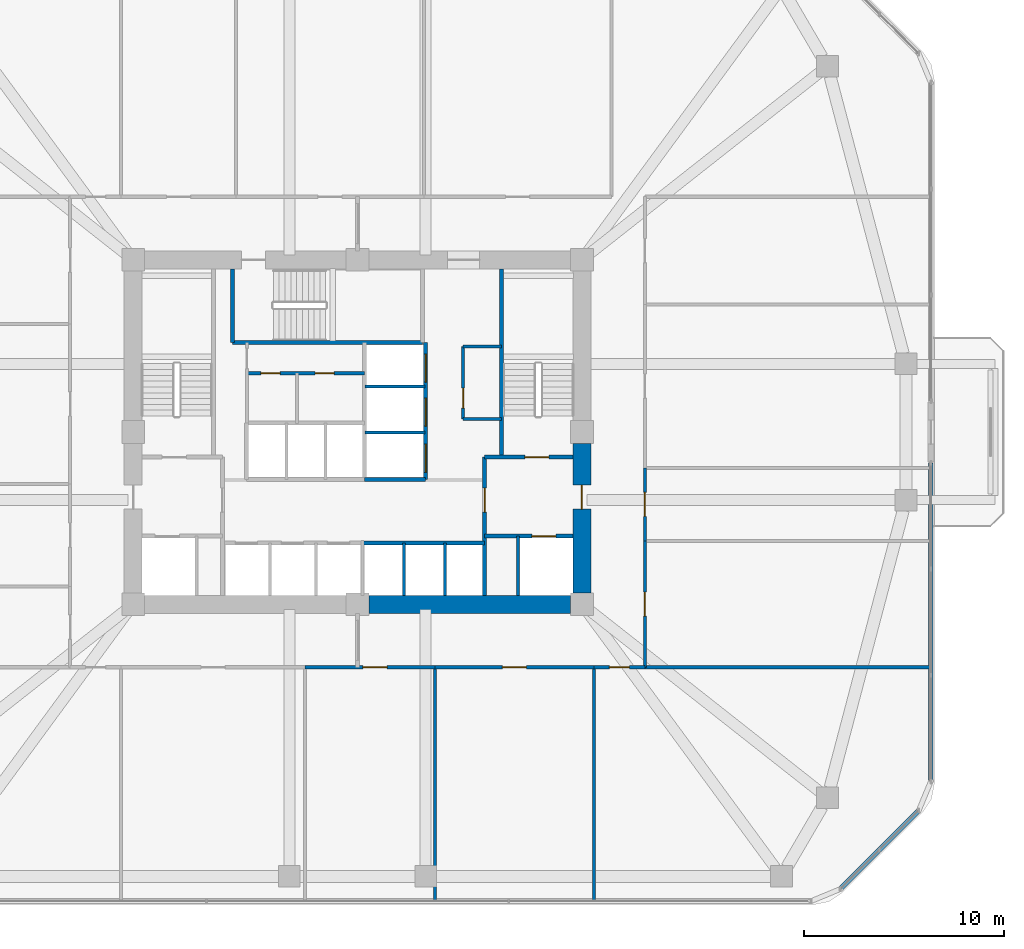
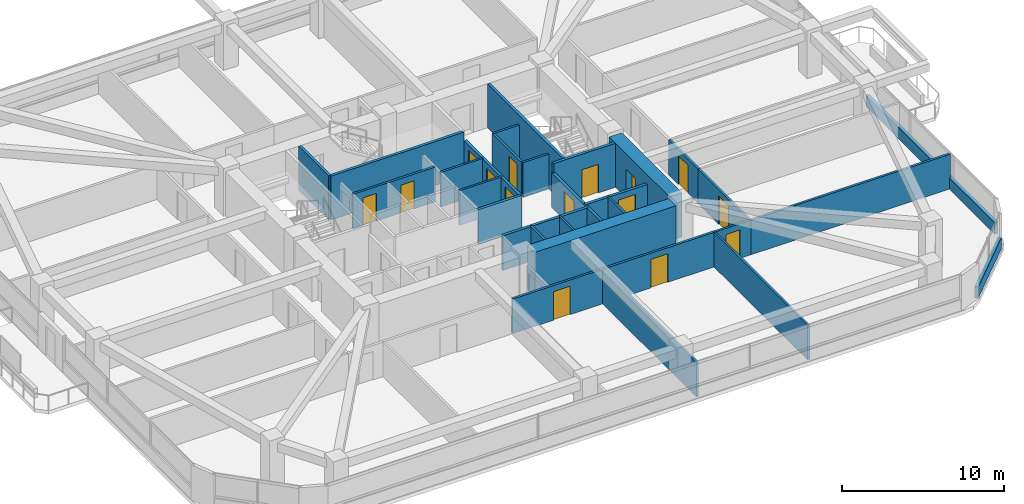
# One storey, part 11 of 15: 30 walls, 15 doors, 15 openings.
"""IFC4 building model written with IfcOpenShell, lengths in metres."""

from ifc_helpers import new_model, si_unit, derived_unit, direction, frame, frame_2d, origin, place, context, subcontext, project, spatial, rectangle, extrude, material, layer, layer_set, type_object, element, fill, save


model = new_model("IFC4")

# Units and contexts
model_context = context("Model", 3, precision=1e-05, world=origin(), true_north=direction((0.0, 1.0)))
body_context = subcontext(model_context, "Body", "Model", "MODEL_VIEW")
ifc_project = project(units=[si_unit("LENGTHUNIT", "METRE"), si_unit("AREAUNIT", "SQUARE_METRE"), si_unit("VOLUMEUNIT", "CUBIC_METRE"), si_unit("PLANEANGLEUNIT", "RADIAN"), si_unit("MASSUNIT", "GRAM", prefix="KILO"), derived_unit("THERMALTRANSMITTANCEUNIT", [(si_unit("POWERUNIT", "WATT"), 1), (si_unit("LENGTHUNIT", "METRE"), -2), (si_unit("THERMODYNAMICTEMPERATUREUNIT", "KELVIN"), -1)])], contexts=[model_context])

# Site, building, storey
site_placement = place(None, origin())
site = spatial("IfcSite", under=ifc_project, at=site_placement, CompositionType="ELEMENT")
building_placement = place(site_placement, origin())
building = spatial("IfcBuilding", under=site, at=building_placement, Name="Koralith Skygarden Medical Center", CompositionType="ELEMENT")
storey_placement = place(building_placement, frame((0.0, 0.0, 56.340087890625)))
storey = spatial("IfcBuildingStorey", under=building, at=storey_placement, Name="L14", CompositionType="ELEMENT", Elevation=56.340087890625)

# Wall, opening, door
ifc_material_1 = material(Name="Gypsum Board Partition")
ifc_layer_1 = layer(ifc_material_1, 0.14990234375)
ifc_layer_set_1 = layer_set([ifc_layer_1], Name="Gypsum Board Partition")
wall_type_1 = type_object("IfcWallType", Name="Clinical Acoustic Partition 150", PredefinedType="PARTITIONING", material=ifc_layer_set_1)
wall_1_placement = place(storey_placement, frame((42.27001953125, 26.5400390625, 0.0), z_axis=(0.0, 0.0, 1.0), x_axis=(0.0, 1.0, 0.0)))
wall_1 = element("IfcWall", 1, at=wall_1_placement, inside=storey, type_object=wall_type_1, Name="L14 Clinical Acoustic Partition 150 W-CORE-L14-ESUB-W", PredefinedType="PARTITIONING", context=body_context, shape_type="SweptSolid", body=[
    extrude(rectangle(XDim=3.619873046875, YDim=0.14990234375, at=frame_2d((1.81005859375, 0.0))), origin(), (0.0, 0.0, 1.0), 2.60986328125),
])
opening_1_placement = place(wall_1_placement, frame((0.550048828125, 0.0, 0.0)))
opening_1 = element("IfcOpeningElement", 2, at=opening_1_placement, cuts=wall_1, Name="Opening D-SUP", PredefinedType="OPENING", context=body_context, shape_type="SweptSolid", body=[
    extrude(rectangle(XDim=1.0, YDim=2.14990234375, at=frame_2d((0.5, 1.074951171875))), frame((0.0, 0.0849609375, 0.0), z_axis=(0.0, -1.0, 0.0), x_axis=(1.0, 0.0, 0.0)), (0.0, 0.0, 1.0), 0.169921875),
])
ifc_material_2 = material(Name="Aluminium 6063-T6", Category="aluminium")
door_type_1 = type_object("IfcDoorType", Name="Clinical Support Door D-SUP 1000", OperationType="NOTDEFINED", PredefinedType="DOOR", material=ifc_material_2)
door_1_placement = place(opening_1_placement, origin())
door_1 = element("IfcDoor", 3, at=door_1_placement, inside=storey, type_object=door_type_1, Name="L14 Core Equipment Store Door", OperationType="SINGLE_SWING_LEFT", OverallHeight=2.14990234375, OverallWidth=1.0, PredefinedType="DOOR", context=body_context, shape_type="SweptSolid", body=[
    extrude(rectangle(XDim=1.0, YDim=2.14990234375, at=frame_2d((0.5, 1.074951171875))), frame((0.0, 0.02490234375, 0.0), z_axis=(0.0, -1.0, 0.0), x_axis=(1.0, 0.0, 0.0)), (0.0, 0.0, 1.0), 0.050048828125),
])
fill(opening_1, door_1)

# Walls
for number, where, z_axis, x_axis, name in (
    (4, (42.27001953125, 26.5400390625, 0.0), (0.0, 0.0, 1.0), (1.0, 0.0, 0.0), "L14 Clinical Acoustic Partition 150 W-CORE-L14-ESUB-S"),
    (5, (42.27001953125, 30.159912109375, 0.0), (0.0, 0.0, 1.0), (1.0, 0.0, 0.0), "L14 Clinical Acoustic Partition 150 W-CORE-L14-ESUB-N"),
):
    element("IfcWall", number, at=place(storey_placement, frame(where, z_axis=z_axis, x_axis=x_axis)), inside=storey, type_object=wall_type_1, Name=name, PredefinedType="PARTITIONING", context=body_context, shape_type="SweptSolid", body=[
        extrude(rectangle(XDim=1.929931640625, YDim=0.14990234375, at=frame_2d((0.96484375, 0.0))), origin(), (0.0, 0.0, 1.0), 2.60986328125),
    ])
for number, where, z_axis, x_axis, name in (
    (6, (40.861083984375, 14.14990234375, 0.0), (0.0, 0.0, 1.0), (0.0, -1.0, 0.0), "L14 Clinical Acoustic Partition 150 W-PART-L14-S-03"),
    (7, (48.800048828125, 14.14990234375, 0.0), (0.0, 0.0, 1.0), (0.0, -1.0, 0.0), "L14 Clinical Acoustic Partition 150 W-PART-L14-S-04"),
):
    element("IfcWall", number, at=place(storey_placement, frame(where, z_axis=z_axis, x_axis=x_axis)), inside=storey, type_object=wall_type_1, Name=name, PredefinedType="PARTITIONING", context=body_context, shape_type="SweptSolid", body=[
        extrude(rectangle(XDim=11.64990234375, YDim=0.14990234375, at=frame_2d((5.824951171875, 0.0))), origin(), (0.0, 0.0, 1.0), 2.60986328125),
    ])
ifc_layer_2 = layer(ifc_material_1, 0.1650390625)
ifc_layer_set_2 = layer_set([ifc_layer_2], Name="Gypsum Board Partition")
wall_type_2 = type_object("IfcWallType", Name="Clinical Corridor Partition 165", PredefinedType="PARTITIONING", material=ifc_layer_set_2)
wall_2_placement = place(storey_placement, frame((51.35009765625, 14.14990234375, 0.0), z_axis=(0.0, 0.0, 1.0), x_axis=(1.0, 0.0, 0.0)))
element("IfcWall", 8, at=wall_2_placement, inside=storey, type_object=wall_type_2, Name="L14 Clinical Corridor Partition 165 W-WB-L14-SE", PredefinedType="PARTITIONING", context=body_context, shape_type="SweptSolid", body=[
    extrude(rectangle(XDim=14.25, YDim=0.1650390625, at=frame_2d((7.125, 0.0))), origin(), (0.0, 0.0, 1.0), 2.60986328125),
])

# Wall, opening, door
wall_3_placement = place(storey_placement, frame((34.3740234375, 14.14990234375, 0.0), z_axis=(0.0, 0.0, 1.0), x_axis=(1.0, 0.0, 0.0)))
wall_3 = element("IfcWall", 9, at=wall_3_placement, inside=storey, type_object=wall_type_2, Name="L14 Clinical Corridor Partition 165 W-CORR-L14-S-03", PredefinedType="PARTITIONING", context=body_context, shape_type="SweptSolid", body=[
    extrude(rectangle(XDim=6.487060546875, YDim=0.1650390625, at=frame_2d((3.24365234375, 0.0))), origin(), (0.0, 0.0, 1.0), 2.60986328125),
])
opening_2_placement = place(wall_3_placement, frame((2.89892578125, 0.0, 0.0)))
opening_2 = element("IfcOpeningElement", 10, at=opening_2_placement, cuts=wall_3, Name="Opening D-CLN", PredefinedType="OPENING", context=body_context, shape_type="SweptSolid", body=[
    extrude(rectangle(XDim=1.199951171875, YDim=2.14990234375, at=frame_2d((0.60009765625, 1.074951171875))), frame((0.0, 0.092529296875, 0.0), z_axis=(0.0, -1.0, 0.0), x_axis=(1.0, 0.0, 0.0)), (0.0, 0.0, 1.0), 0.18505859375),
])
door_type_2 = type_object("IfcDoorType", Name="Clinical Corridor Door D-CLN 1200", OperationType="NOTDEFINED", PredefinedType="DOOR", material=ifc_material_2)
door_2_placement = place(opening_2_placement, frame((1.199951171875, 0.0, 0.0), z_axis=(0.0, 0.0, 1.0), x_axis=(-1.0, 0.0, 0.0)))
door_2 = element("IfcDoor", 11, at=door_2_placement, inside=storey, type_object=door_type_2, Name="L14 Chemotherapy Prep Store 07 Door", OperationType="SINGLE_SWING_RIGHT", OverallHeight=2.14990234375, OverallWidth=1.199951171875, PredefinedType="DOOR", context=body_context, shape_type="SweptSolid", body=[
    extrude(rectangle(XDim=1.199951171875, YDim=2.14990234375, at=frame_2d((0.60009765625, 1.074951171875))), frame((0.0, 0.02490234375, 0.0), z_axis=(0.0, -1.0, 0.0), x_axis=(1.0, 0.0, 0.0)), (0.0, 0.0, 1.0), 0.050048828125),
])
fill(opening_2, door_2)

wall_4_placement = place(storey_placement, frame((40.861083984375, 14.14990234375, 0.0), z_axis=(0.0, 0.0, 1.0), x_axis=(1.0, 0.0, 0.0)))
wall_4 = element("IfcWall", 12, at=wall_4_placement, inside=storey, type_object=wall_type_2, Name="L14 Clinical Corridor Partition 165 W-CORR-L14-S-04", PredefinedType="PARTITIONING", context=body_context, shape_type="SweptSolid", body=[
    extrude(rectangle(XDim=7.93896484375, YDim=0.1650390625, at=frame_2d((3.969482421875, 0.0))), origin(), (0.0, 0.0, 1.0), 2.60986328125),
])
opening_3_placement = place(wall_4_placement, frame((3.368896484375, 0.0, 0.0)))
opening_3 = element("IfcOpeningElement", 13, at=opening_3_placement, cuts=wall_4, Name="Opening D-CLN", PredefinedType="OPENING", context=body_context, shape_type="SweptSolid", body=[
    extrude(rectangle(XDim=1.199951171875, YDim=2.14990234375, at=frame_2d((0.60009765625, 1.074951171875))), frame((0.0, 0.092529296875, 0.0), z_axis=(0.0, -1.0, 0.0), x_axis=(1.0, 0.0, 0.0)), (0.0, 0.0, 1.0), 0.18505859375),
])
door_3_placement = place(opening_3_placement, frame((1.199951171875, 0.0, 0.0), z_axis=(0.0, 0.0, 1.0), x_axis=(-1.0, 0.0, 0.0)))
door_3 = element("IfcDoor", 14, at=door_3_placement, inside=storey, type_object=door_type_2, Name="L14 Patient Recovery Sitting Lounge 08 Door", OperationType="SINGLE_SWING_LEFT", OverallHeight=2.14990234375, OverallWidth=1.199951171875, PredefinedType="DOOR", context=body_context, shape_type="SweptSolid", body=[
    extrude(rectangle(XDim=1.199951171875, YDim=2.14990234375, at=frame_2d((0.60009765625, 1.074951171875))), frame((0.0, 0.02490234375, 0.0), z_axis=(0.0, -1.0, 0.0), x_axis=(1.0, 0.0, 0.0)), (0.0, 0.0, 1.0), 0.050048828125),
])
fill(opening_3, door_3)

wall_5_placement = place(storey_placement, frame((48.800048828125, 14.14990234375, 0.0), z_axis=(0.0, 0.0, 1.0), x_axis=(1.0, 0.0, 0.0)))
wall_5 = element("IfcWall", 15, at=wall_5_placement, inside=storey, type_object=wall_type_2, Name="L14 Clinical Corridor Partition 165 W-CORR-L14-S-05", PredefinedType="PARTITIONING", context=body_context, shape_type="SweptSolid", body=[
    extrude(rectangle(XDim=2.550048828125, YDim=0.1650390625, at=frame_2d((1.27490234375, 0.0))), origin(), (0.0, 0.0, 1.0), 2.60986328125),
])
opening_4_placement = place(wall_5_placement, frame((0.77490234375, 0.0, 0.0)))
opening_4 = element("IfcOpeningElement", 16, at=opening_4_placement, cuts=wall_5, Name="Opening D-SUP", PredefinedType="OPENING", context=body_context, shape_type="SweptSolid", body=[
    extrude(rectangle(XDim=1.0, YDim=2.14990234375, at=frame_2d((0.5, 1.074951171875))), frame((0.0, 0.092529296875, 0.0), z_axis=(0.0, -1.0, 0.0), x_axis=(1.0, 0.0, 0.0)), (0.0, 0.0, 1.0), 0.18505859375),
])
door_4_placement = place(opening_4_placement, frame((1.0, 0.0, 0.0), z_axis=(0.0, 0.0, 1.0), x_axis=(-1.0, 0.0, 0.0)))
door_4 = element("IfcDoor", 17, at=door_4_placement, inside=storey, type_object=door_type_1, Name="L14 Multidisciplinary Clinical Conference Room 09 Door", OperationType="SINGLE_SWING_RIGHT", OverallHeight=2.14990234375, OverallWidth=1.0, PredefinedType="DOOR", context=body_context, shape_type="SweptSolid", body=[
    extrude(rectangle(XDim=1.0, YDim=2.14990234375, at=frame_2d((0.5, 1.074951171875))), frame((0.0, 0.02490234375, 0.0), z_axis=(0.0, -1.0, 0.0), x_axis=(1.0, 0.0, 0.0)), (0.0, 0.0, 1.0), 0.050048828125),
])
fill(opening_4, door_4)

wall_6_placement = place(storey_placement, frame((51.35009765625, 14.14990234375, 0.0), z_axis=(0.0, 0.0, 1.0), x_axis=(0.0, 1.0, 0.0)))
wall_6 = element("IfcWall", 18, at=wall_6_placement, inside=storey, type_object=wall_type_2, Name="L14 Clinical Corridor Partition 165 W-CORR-L14-E-01", PredefinedType="PARTITIONING", context=body_context, shape_type="SweptSolid", body=[
    extrude(rectangle(XDim=6.317138671875, YDim=0.1650390625, at=frame_2d((3.15869140625, 0.0))), origin(), (0.0, 0.0, 1.0), 2.60986328125),
])
opening_5_placement = place(wall_6_placement, frame((2.55810546875, 0.0, 0.0)))
opening_5 = element("IfcOpeningElement", 19, at=opening_5_placement, cuts=wall_6, Name="Opening D-CLN", PredefinedType="OPENING", context=body_context, shape_type="SweptSolid", body=[
    extrude(rectangle(XDim=1.199951171875, YDim=2.14990234375, at=frame_2d((0.60009765625, 1.074951171875))), frame((0.0, 0.092529296875, 0.0), z_axis=(0.0, -1.0, 0.0), x_axis=(1.0, 0.0, 0.0)), (0.0, 0.0, 1.0), 0.18505859375),
])
door_5_placement = place(opening_5_placement, origin())
door_5 = element("IfcDoor", 20, at=door_5_placement, inside=storey, type_object=door_type_2, Name="L14 Infusion Therapy Treatment Room 14 Door", OperationType="SINGLE_SWING_LEFT", OverallHeight=2.14990234375, OverallWidth=1.199951171875, PredefinedType="DOOR", context=body_context, shape_type="SweptSolid", body=[
    extrude(rectangle(XDim=1.199951171875, YDim=2.14990234375, at=frame_2d((0.60009765625, 1.074951171875))), frame((0.0, 0.02490234375, 0.0), z_axis=(0.0, -1.0, 0.0), x_axis=(1.0, 0.0, 0.0)), (0.0, 0.0, 1.0), 0.050048828125),
])
fill(opening_5, door_5)

wall_7_placement = place(storey_placement, frame((51.35009765625, 20.467041015625, 0.0), z_axis=(0.0, 0.0, 1.0), x_axis=(0.0, 1.0, 0.0)))
wall_7 = element("IfcWall", 21, at=wall_7_placement, inside=storey, type_object=wall_type_2, Name="L14 Clinical Corridor Partition 165 W-CORR-L14-E-02", PredefinedType="PARTITIONING", context=body_context, shape_type="SweptSolid", body=[
    extrude(rectangle(XDim=3.633056640625, YDim=0.1650390625, at=frame_2d((1.81640625, 0.0))), origin(), (0.0, 0.0, 1.0), 2.60986328125),
])
opening_6_placement = place(wall_7_placement, frame((1.217041015625, 0.0, 0.0)))
opening_6 = element("IfcOpeningElement", 22, at=opening_6_placement, cuts=wall_7, Name="Opening D-CLN", PredefinedType="OPENING", context=body_context, shape_type="SweptSolid", body=[
    extrude(rectangle(XDim=1.199951171875, YDim=2.14990234375, at=frame_2d((0.60009765625, 1.074951171875))), frame((0.0, 0.092529296875, 0.0), z_axis=(0.0, -1.0, 0.0), x_axis=(1.0, 0.0, 0.0)), (0.0, 0.0, 1.0), 0.18505859375),
])
door_6_placement = place(opening_6_placement, origin())
door_6 = element("IfcDoor", 23, at=door_6_placement, inside=storey, type_object=door_type_2, Name="L14 Phlebotomy Blood Draw Room 15 Door", OperationType="SINGLE_SWING_RIGHT", OverallHeight=2.14990234375, OverallWidth=1.199951171875, PredefinedType="DOOR", context=body_context, shape_type="SweptSolid", body=[
    extrude(rectangle(XDim=1.199951171875, YDim=2.14990234375, at=frame_2d((0.60009765625, 1.074951171875))), frame((0.0, 0.02490234375, 0.0), z_axis=(0.0, -1.0, 0.0), x_axis=(1.0, 0.0, 0.0)), (0.0, 0.0, 1.0), 0.050048828125),
])
fill(opening_6, door_6)

ifc_layer_3 = layer(ifc_material_1, 0.199951171875)
ifc_layer_set_3 = layer_set([ifc_layer_3], Name="Gypsum Board Partition")
wall_type_3 = type_object("IfcWallType", Name="Fire Shaft Wall 200", PredefinedType="SOLIDWALL", material=ifc_layer_set_3)
wall_8_placement = place(storey_placement, frame((43.35009765625, 20.699951171875, 0.0), z_axis=(0.0, 0.0, 1.0), x_axis=(1.0, 0.0, 0.0)))
wall_8 = element("IfcWall", 24, at=wall_8_placement, inside=storey, type_object=wall_type_3, Name="L14 Fire Shaft Wall 200 W-CORE-L14-FF2-N", PredefinedType="SOLIDWALL", context=body_context, shape_type="SweptSolid", body=[
    extrude(rectangle(XDim=4.39990234375, YDim=0.199951171875, at=frame_2d((2.199951171875, 0.0))), origin(), (0.0, 0.0, 1.0), 2.60986328125),
])
opening_7_placement = place(wall_8_placement, frame((2.35009765625, 0.0, 0.0)))
opening_7 = element("IfcOpeningElement", 25, at=opening_7_placement, cuts=wall_8, Name="Opening LD-FF", PredefinedType="OPENING", context=body_context, shape_type="SweptSolid", body=[
    extrude(rectangle(XDim=1.199951171875, YDim=2.14990234375, at=frame_2d((0.60009765625, 1.074951171875))), frame((0.0, 0.10986328125, 0.0), z_axis=(0.0, -1.0, 0.0), x_axis=(1.0, 0.0, 0.0)), (0.0, 0.0, 1.0), 0.219970703125),
])
ifc_material_3 = material(Name="Steel ASTM A500 Grade C", Category="steel")
door_type_3 = type_object("IfcDoorType", Name="Fire Lift Sliding Landing Door LD-FF 1200", OperationType="NOTDEFINED", PredefinedType="DOOR", material=ifc_material_3)
door_7_placement = place(opening_7_placement, origin())
door_7 = element("IfcDoor", 26, at=door_7_placement, inside=storey, type_object=door_type_3, Name="L14 Fire Service Elevator FF2 Landing Door", OperationType="SLIDING_TO_RIGHT", OverallHeight=2.14990234375, OverallWidth=1.199951171875, PredefinedType="DOOR", context=body_context, shape_type="SweptSolid", body=[
    extrude(rectangle(XDim=1.199951171875, YDim=2.14990234375, at=frame_2d((0.60009765625, 1.074951171875))), frame((0.0, 0.02490234375, 0.0), z_axis=(0.0, -1.0, 0.0), x_axis=(1.0, 0.0, 0.0)), (0.0, 0.0, 1.0), 0.050048828125),
])
fill(opening_7, door_7)

wall_9_placement = place(storey_placement, frame((43.35009765625, 17.75, 0.0), z_axis=(0.0, 0.0, 1.0), x_axis=(0.0, 1.0, 0.0)))
wall_9 = element("IfcWall", 27, at=wall_9_placement, inside=storey, type_object=wall_type_3, Name="L14 Fire Shaft Wall 200 W-CORE-L14-FSAEE-W", PredefinedType="SOLIDWALL", context=body_context, shape_type="SweptSolid", body=[
    extrude(rectangle(XDim=6.89990234375, YDim=0.199951171875, at=frame_2d((3.449951171875, 0.0))), origin(), (0.0, 0.0, 1.0), 2.60986328125),
])
opening_8_placement = place(wall_9_placement, frame((4.14990234375, 0.0, 0.0)))
opening_8 = element("IfcOpeningElement", 28, at=opening_8_placement, cuts=wall_9, Name="Opening D-ST60", PredefinedType="OPENING", context=body_context, shape_type="SweptSolid", body=[
    extrude(rectangle(XDim=1.199951171875, YDim=2.14990234375, at=frame_2d((0.60009765625, 1.074951171875))), frame((0.0, 0.10986328125, 0.0), z_axis=(0.0, -1.0, 0.0), x_axis=(1.0, 0.0, 0.0)), (0.0, 0.0, 1.0), 0.219970703125),
])
door_type_4 = type_object("IfcDoorType", Name="Smokeproof Stair Fire Door FD60S 1200", OperationType="NOTDEFINED", PredefinedType="DOOR", material=ifc_material_3)
door_8_placement = place(opening_8_placement, frame((1.199951171875, 0.0, 0.0), z_axis=(0.0, 0.0, 1.0), x_axis=(-1.0, 0.0, 0.0)))
door_8 = element("IfcDoor", 29, at=door_8_placement, inside=storey, type_object=door_type_4, Name="L14 East Firefighting Lobby Inner Fire Door", OperationType="SINGLE_SWING_RIGHT", OverallHeight=2.14990234375, OverallWidth=1.199951171875, PredefinedType="DOOR", context=body_context, shape_type="SweptSolid", body=[
    extrude(rectangle(XDim=1.199951171875, YDim=2.14990234375, at=frame_2d((0.60009765625, 1.074951171875))), frame((0.0, 0.02490234375, 0.0), z_axis=(0.0, -1.0, 0.0), x_axis=(1.0, 0.0, 0.0)), (0.0, 0.0, 1.0), 0.050048828125),
])
fill(opening_8, door_8)

# Walls
wall_10_placement = place(storey_placement, frame((37.25, 20.360107421875, 0.0), z_axis=(0.0, 0.0, 1.0), x_axis=(1.0, 0.0, 0.0)))
element("IfcWall", 30, at=wall_10_placement, inside=storey, type_object=wall_type_3, Name="L14 Fire Shaft Wall 200 W-CORE-L14-PM-N", PredefinedType="SOLIDWALL", context=body_context, shape_type="SweptSolid", body=[
    extrude(rectangle(XDim=6.10009765625, YDim=0.199951171875, at=frame_2d((3.050048828125, 0.0))), origin(), (0.0, 0.0, 1.0), 2.60986328125),
])
wall_11_placement = place(storey_placement, frame((37.35009765625, 23.5400390625, 0.0), z_axis=(0.0, 0.0, 1.0), x_axis=(1.0, 0.0, 0.0)))
element("IfcWall", 31, at=wall_11_placement, inside=storey, type_object=wall_type_3, Name="L14 Fire Shaft Wall 200 W-CORE-L14-SV-S", PredefinedType="SOLIDWALL", context=body_context, shape_type="SweptSolid", body=[
    extrude(rectangle(XDim=3.0498046875, YDim=0.199951171875, at=frame_2d((1.52490234375, 0.0))), origin(), (0.0, 0.0, 1.0), 2.60986328125),
])

# Wall, openings, doors
wall_12_placement = place(storey_placement, frame((40.39990234375, 23.5400390625, 0.0), z_axis=(0.0, 0.0, 1.0), x_axis=(0.0, 1.0, 0.0)))
wall_12 = element("IfcWall", 32, at=wall_12_placement, inside=storey, type_object=wall_type_3, Name="L14 Fire Shaft Wall 200 W-CORE-L14-SV-E", PredefinedType="SOLIDWALL", context=body_context, shape_type="SweptSolid", body=[
    extrude(rectangle(XDim=6.820068359375, YDim=0.199951171875, at=frame_2d((3.41015625, 0.0))), origin(), (0.0, 0.0, 1.0), 2.60986328125),
])
opening_9_placement = place(wall_12_placement, frame((0.35009765625, 0.0, 0.0)))
opening_9 = element("IfcOpeningElement", 33, at=opening_9_placement, cuts=wall_12, Name="Opening LD-SV", PredefinedType="OPENING", context=body_context, shape_type="SweptSolid", body=[
    extrude(rectangle(XDim=1.39990234375, YDim=2.199951171875, at=frame_2d((0.699951171875, 1.10009765625))), frame((0.0, 0.10986328125, 0.0), z_axis=(0.0, -1.0, 0.0), x_axis=(1.0, 0.0, 0.0)), (0.0, 0.0, 1.0), 0.219970703125),
])
opening_10_placement = place(wall_12_placement, frame((2.64990234375, 0.0, 0.0)))
opening_10 = element("IfcOpeningElement", 34, at=opening_10_placement, cuts=wall_12, Name="Opening LD-SV", PredefinedType="OPENING", context=body_context, shape_type="SweptSolid", body=[
    extrude(rectangle(XDim=1.39990234375, YDim=2.199951171875, at=frame_2d((0.699951171875, 1.10009765625))), frame((0.0, 0.10986328125, 0.0), z_axis=(0.0, -1.0, 0.0), x_axis=(1.0, 0.0, 0.0)), (0.0, 0.0, 1.0), 0.219970703125),
])
opening_11_placement = place(wall_12_placement, frame((4.85009765625, 0.0, 0.0)))
opening_11 = element("IfcOpeningElement", 35, at=opening_11_placement, cuts=wall_12, Name="Opening LD-SV", PredefinedType="OPENING", context=body_context, shape_type="SweptSolid", body=[
    extrude(rectangle(XDim=1.39990234375, YDim=2.199951171875, at=frame_2d((0.699951171875, 1.10009765625))), frame((0.0, 0.10986328125, 0.0), z_axis=(0.0, -1.0, 0.0), x_axis=(1.0, 0.0, 0.0)), (0.0, 0.0, 1.0), 0.219970703125),
])
door_type_5 = type_object("IfcDoorType", Name="Bed Lift Sliding Landing Door LD-SV 1400", OperationType="NOTDEFINED", PredefinedType="DOOR", material=ifc_material_3)
door_9_placement = place(opening_9_placement, origin())
door_9 = element("IfcDoor", 36, at=door_9_placement, inside=storey, type_object=door_type_5, Name="L14 Bed Elevator BD1 Landing Door", OperationType="SLIDING_TO_LEFT", OverallHeight=2.199951171875, OverallWidth=1.39990234375, PredefinedType="DOOR", context=body_context, shape_type="SweptSolid", body=[
    extrude(rectangle(XDim=1.39990234375, YDim=2.199951171875, at=frame_2d((0.699951171875, 1.10009765625))), frame((0.0, 0.02490234375, 0.0), z_axis=(0.0, -1.0, 0.0), x_axis=(1.0, 0.0, 0.0)), (0.0, 0.0, 1.0), 0.050048828125),
])
fill(opening_9, door_9)
door_10_placement = place(opening_10_placement, origin())
door_10 = element("IfcDoor", 37, at=door_10_placement, inside=storey, type_object=door_type_5, Name="L14 Service Elevator BD2 Landing Door", OperationType="SLIDING_TO_LEFT", OverallHeight=2.199951171875, OverallWidth=1.39990234375, PredefinedType="DOOR", context=body_context, shape_type="SweptSolid", body=[
    extrude(rectangle(XDim=1.39990234375, YDim=2.199951171875, at=frame_2d((0.699951171875, 1.10009765625))), frame((0.0, 0.02490234375, 0.0), z_axis=(0.0, -1.0, 0.0), x_axis=(1.0, 0.0, 0.0)), (0.0, 0.0, 1.0), 0.050048828125),
])
fill(opening_10, door_10)
door_11_placement = place(opening_11_placement, origin())
door_11 = element("IfcDoor", 38, at=door_11_placement, inside=storey, type_object=door_type_5, Name="L14 Trauma Elevator TR1 Landing Door", OperationType="SLIDING_TO_RIGHT", OverallHeight=2.199951171875, OverallWidth=1.39990234375, PredefinedType="DOOR", context=body_context, shape_type="SweptSolid", body=[
    extrude(rectangle(XDim=1.39990234375, YDim=2.199951171875, at=frame_2d((0.699951171875, 1.10009765625))), frame((0.0, 0.02490234375, 0.0), z_axis=(0.0, -1.0, 0.0), x_axis=(1.0, 0.0, 0.0)), (0.0, 0.0, 1.0), 0.050048828125),
])
fill(opening_11, door_11)

# Walls
ifc_material_4 = material(Name="Warm Oolitic Limestone Cladding", Category="masonry")
ifc_layer_4 = layer(ifc_material_4, 0.239990234375)
ifc_layer_set_4 = layer_set([ifc_layer_4], Name="Warm Oolitic Limestone Cladding")
wall_type_4 = type_object("IfcWallType", Name="Limestone Spandrel Sill Backup Wall 240", PredefinedType="SOLIDWALL", material=ifc_layer_set_4)
wall_13_placement = place(storey_placement, frame((61.095947265625, 3.0810546875, 0.0), z_axis=(0.0, 0.0, 1.0), x_axis=(0.707128783731, 0.707084777957, 0.0)))
element("IfcWall", 39, at=wall_13_placement, inside=storey, type_object=wall_type_4, Name="L14 Sill Spandrel SE", PredefinedType="SOLIDWALL", context=body_context, shape_type="SweptSolid", body=[
    extrude(rectangle(XDim=5.5478515625, YDim=0.239990234375, at=frame_2d((2.77392578125, 0.0))), origin(), (0.0, 0.0, 1.0), 0.849853515625),
])
wall_14_placement = place(storey_placement, frame((65.6201171875, 8.455078125, 0.0), z_axis=(0.0, 0.0, 1.0), x_axis=(0.0, 1.0, 0.0)))
element("IfcWall", 40, at=wall_14_placement, inside=storey, type_object=wall_type_4, Name="L14 Sill Spandrel E-L", PredefinedType="SOLIDWALL", context=body_context, shape_type="SweptSolid", body=[
    extrude(rectangle(XDim=15.905029296875, YDim=0.239990234375, at=frame_2d((7.95263671875, 0.0))), origin(), (0.0, 0.0, 1.0), 0.849853515625),
])
ifc_material_5 = material(Name="Concrete C70/85", Category="concrete")
ifc_layer_5 = layer(ifc_material_5, 0.89990234375)
ifc_layer_set_5 = layer_set([ifc_layer_5], Name="Concrete C70/85")
wall_type_5 = type_object("IfcWallType", Name="Lower Core Shear Wall 900", PredefinedType="SHEAR", material=ifc_layer_set_5)
wall_15_placement = place(storey_placement, frame((37.56494140625, 17.300048828125, 0.0), z_axis=(0.0, 0.0, 1.0), x_axis=(1.0, 0.0, 0.0)))
element("IfcWall", 41, at=wall_15_placement, inside=storey, type_object=wall_type_5, Name="L14 Core Shear Wall Segment 2", PredefinedType="SHEAR", context=body_context, shape_type="SweptSolid", body=[
    extrude(rectangle(XDim=10.070068359375, YDim=0.89990234375, at=frame_2d((5.03515625, 0.0))), origin(), (0.0, 0.0, 1.0), 3.31982421875),
])

# Wall, opening, door
wall_16_placement = place(storey_placement, frame((48.199951171875, 17.864990234375, 0.0), z_axis=(0.0, 0.0, 1.0), x_axis=(0.0, 1.0, 0.0)))
wall_16 = element("IfcWall", 42, at=wall_16_placement, inside=storey, type_object=wall_type_5, Name="L14 Core Shear Wall Segment 3", PredefinedType="SHEAR", context=body_context, shape_type="SweptSolid", body=[
    extrude(rectangle(XDim=7.469970703125, YDim=0.89990234375, at=frame_2d((3.73486328125, 0.0))), origin(), (0.0, 0.0, 1.0), 3.31982421875),
])
opening_12_placement = place(wall_16_placement, frame((4.18505859375, 0.0, 0.0)))
opening_12 = element("IfcOpeningElement", 43, at=opening_12_placement, cuts=wall_16, Name="Opening D-ST60", PredefinedType="OPENING", context=body_context, shape_type="SweptSolid", body=[
    extrude(rectangle(XDim=1.199951171875, YDim=2.14990234375, at=frame_2d((0.60009765625, 1.074951171875))), frame((0.0, 0.4599609375, 0.0), z_axis=(0.0, -1.0, 0.0), x_axis=(1.0, 0.0, 0.0)), (0.0, 0.0, 1.0), 0.919921875),
])
door_12_placement = place(opening_12_placement, frame((1.199951171875, 0.0, 0.0), z_axis=(0.0, 0.0, 1.0), x_axis=(-1.0, 0.0, 0.0)))
door_12 = element("IfcDoor", 44, at=door_12_placement, inside=storey, type_object=door_type_4, Name="L14 East Corridor to Firefighting Lobby Door", OperationType="SINGLE_SWING_RIGHT", OverallHeight=2.14990234375, OverallWidth=1.199951171875, PredefinedType="DOOR", context=body_context, shape_type="SweptSolid", body=[
    extrude(rectangle(XDim=1.199951171875, YDim=2.14990234375, at=frame_2d((0.60009765625, 1.074951171875))), frame((0.0, 0.02490234375, 0.0), z_axis=(0.0, -1.0, 0.0), x_axis=(1.0, 0.0, 0.0)), (0.0, 0.0, 1.0), 0.050048828125),
])
fill(opening_12, door_12)

# Wall, openings, doors
ifc_layer_6 = layer(ifc_material_1, 0.1650390625)
ifc_layer_set_6 = layer_set([ifc_layer_6], Name="Gypsum Board Partition")
wall_type_6 = type_object("IfcWallType", Name="Plumbing Wet Wall 165", PredefinedType="PLUMBINGWALL", material=ifc_layer_set_6)
wall_17_placement = place(storey_placement, frame((31.47998046875, 28.840087890625, 0.0), z_axis=(0.0, 0.0, 1.0), x_axis=(1.0, 0.0, 0.0)))
wall_17 = element("IfcWall", 45, at=wall_17_placement, inside=storey, type_object=wall_type_6, Name="L14 Plumbing Wet Wall 165 W-CORE-L14-FLEX-H3", PredefinedType="PLUMBINGWALL", context=body_context, shape_type="SweptSolid", body=[
    extrude(rectangle(XDim=5.8701171875, YDim=0.1650390625, at=frame_2d((2.93505859375, 0.0))), origin(), (0.0, 0.0, 1.0), 2.60986328125),
])
opening_13_placement = place(wall_17_placement, frame((0.699951171875, 0.0, 0.0)))
opening_13 = element("IfcOpeningElement", 46, at=opening_13_placement, cuts=wall_17, Name="Opening D-WC", PredefinedType="OPENING", context=body_context, shape_type="SweptSolid", body=[
    extrude(rectangle(XDim=0.949951171875, YDim=2.10009765625, at=frame_2d((0.47509765625, 1.050048828125))), frame((0.0, 0.092529296875, 0.0), z_axis=(0.0, -1.0, 0.0), x_axis=(1.0, 0.0, 0.0)), (0.0, 0.0, 1.0), 0.18505859375),
])
opening_14_placement = place(wall_17_placement, frame((3.39990234375, 0.0, 0.0)))
opening_14 = element("IfcOpeningElement", 47, at=opening_14_placement, cuts=wall_17, Name="Opening D-WC", PredefinedType="OPENING", context=body_context, shape_type="SweptSolid", body=[
    extrude(rectangle(XDim=0.949951171875, YDim=2.10009765625, at=frame_2d((0.47509765625, 1.050048828125))), frame((0.0, 0.092529296875, 0.0), z_axis=(0.0, -1.0, 0.0), x_axis=(1.0, 0.0, 0.0)), (0.0, 0.0, 1.0), 0.18505859375),
])
door_type_6 = type_object("IfcDoorType", Name="Accessible Toilet Door D-WC 950", OperationType="NOTDEFINED", PredefinedType="DOOR", material=ifc_material_2)
door_13_placement = place(opening_13_placement, frame((0.949951171875, 0.0, 0.0), z_axis=(0.0, 0.0, 1.0), x_axis=(-1.0, 0.0, 0.0)))
door_13 = element("IfcDoor", 48, at=door_13_placement, inside=storey, type_object=door_type_6, Name="L14 Core Accessible WC Door", OperationType="SINGLE_SWING_LEFT", OverallHeight=2.10009765625, OverallWidth=0.949951171875, PredefinedType="DOOR", context=body_context, shape_type="SweptSolid", body=[
    extrude(rectangle(XDim=0.949951171875, YDim=2.10009765625, at=frame_2d((0.47509765625, 1.050048828125))), frame((0.0, 0.02490234375, 0.0), z_axis=(0.0, -1.0, 0.0), x_axis=(1.0, 0.0, 0.0)), (0.0, 0.0, 1.0), 0.050048828125),
])
fill(opening_13, door_13)
door_14_placement = place(opening_14_placement, frame((0.949951171875, 0.0, 0.0), z_axis=(0.0, 0.0, 1.0), x_axis=(-1.0, 0.0, 0.0)))
door_14 = element("IfcDoor", 49, at=door_14_placement, inside=storey, type_object=door_type_6, Name="L14 Housekeeping Store Door", OperationType="SINGLE_SWING_RIGHT", OverallHeight=2.10009765625, OverallWidth=0.949951171875, PredefinedType="DOOR", context=body_context, shape_type="SweptSolid", body=[
    extrude(rectangle(XDim=0.949951171875, YDim=2.10009765625, at=frame_2d((0.47509765625, 1.050048828125))), frame((0.0, 0.02490234375, 0.0), z_axis=(0.0, -1.0, 0.0), x_axis=(1.0, 0.0, 0.0)), (0.0, 0.0, 1.0), 0.050048828125),
])
fill(opening_14, door_14)

# Walls
ifc_layer_7 = layer(ifc_material_1, 0.14990234375)
ifc_layer_set_7 = layer_set([ifc_layer_7], Name="Gypsum Board Partition")
wall_type_7 = type_object("IfcWallType", Name="Shaft Partition Wall 150", PredefinedType="PARTITIONING", material=ifc_layer_set_7)
wall_18_placement = place(storey_placement, frame((45.02001953125, 17.75, 0.0), z_axis=(0.0, 0.0, 1.0), x_axis=(0.0, 1.0, 0.0)))
element("IfcWall", 50, at=wall_18_placement, inside=storey, type_object=wall_type_7, Name="L14 Shaft Partition Wall 150 W-CORE-L14-RSRE-DIV", PredefinedType="PARTITIONING", context=body_context, shape_type="SweptSolid", body=[
    extrude(rectangle(XDim=2.949951171875, YDim=0.14990234375, at=frame_2d((1.47509765625, 0.0))), origin(), (0.0, 0.0, 1.0), 2.60986328125),
])
for number, where, z_axis, x_axis, name in (
    (51, (39.320068359375, 17.75, 0.0), (0.0, 0.0, 1.0), (0.0, 1.0, 0.0), "L14 Shaft Partition Wall 150 W-CORE-L14-PM-D1"),
    (52, (41.3701171875, 17.75, 0.0), (0.0, 0.0, 1.0), (0.0, 1.0, 0.0), "L14 Shaft Partition Wall 150 W-CORE-L14-PM-D2"),
):
    element("IfcWall", number, at=place(storey_placement, frame(where, z_axis=z_axis, x_axis=x_axis)), inside=storey, type_object=wall_type_7, Name=name, PredefinedType="PARTITIONING", context=body_context, shape_type="SweptSolid", body=[
        extrude(rectangle(XDim=2.610107421875, YDim=0.14990234375, at=frame_2d((1.30517578125, 0.0))), origin(), (0.0, 0.0, 1.0), 2.60986328125),
    ])
for number, where, z_axis, x_axis, name in (
    (53, (37.3701171875, 25.8701171875, 0.0), (0.0, 0.0, 1.0), (1.0, 0.0, 0.0), "L14 Shaft Partition Wall 150 W-CORE-L14-SV-D1"),
    (54, (37.3701171875, 28.169921875, 0.0), (0.0, 0.0, 1.0), (1.0, 0.0, 0.0), "L14 Shaft Partition Wall 150 W-CORE-L14-SV-D2"),
):
    element("IfcWall", number, at=place(storey_placement, frame(where, z_axis=z_axis, x_axis=x_axis)), inside=storey, type_object=wall_type_7, Name=name, PredefinedType="PARTITIONING", context=body_context, shape_type="SweptSolid", body=[
        extrude(rectangle(XDim=3.009765625, YDim=0.14990234375, at=frame_2d((1.5048828125, 0.0))), origin(), (0.0, 0.0, 1.0), 2.60986328125),
    ])
ifc_material_6 = material(Name="Concrete C45/55", Category="concrete")
ifc_layer_8 = layer(ifc_material_6, 0.199951171875)
ifc_layer_set_8 = layer_set([ifc_layer_8], Name="Concrete C45/55")
wall_type_8 = type_object("IfcWallType", Name="Structural Stair Shaft Wall 200", PredefinedType="SHEAR", material=ifc_layer_set_8)
wall_19_placement = place(storey_placement, frame((44.199951171875, 24.64990234375, 0.0), z_axis=(0.0, 0.0, 1.0), x_axis=(0.0, 1.0, 0.0)))
element("IfcWall", 55, at=wall_19_placement, inside=storey, type_object=wall_type_8, Name="L14 Structural Stair Shaft Wall 200 W-CORE-L14-ST2-W", PredefinedType="SHEAR", context=body_context, shape_type="SweptSolid", body=[
    extrude(rectangle(XDim=9.400146484375, YDim=0.199951171875, at=frame_2d((4.7001953125, 0.0))), origin(), (0.0, 0.0, 1.0), 3.31982421875),
])

# Wall, opening, door
wall_20_placement = place(storey_placement, frame((43.35009765625, 24.64990234375, 0.0), z_axis=(0.0, 0.0, 1.0), x_axis=(1.0, 0.0, 0.0)))
wall_20 = element("IfcWall", 56, at=wall_20_placement, inside=storey, type_object=wall_type_8, Name="L14 Structural Stair Shaft Wall 200 W-CORE-L14-ST2-S", PredefinedType="SHEAR", context=body_context, shape_type="SweptSolid", body=[
    extrude(rectangle(XDim=4.39990234375, YDim=0.199951171875, at=frame_2d((2.199951171875, 0.0))), origin(), (0.0, 0.0, 1.0), 3.31982421875),
])
opening_15_placement = place(wall_20_placement, frame((2.0, 0.0, 0.0)))
opening_15 = element("IfcOpeningElement", 57, at=opening_15_placement, cuts=wall_20, Name="Opening D-ST60", PredefinedType="OPENING", context=body_context, shape_type="SweptSolid", body=[
    extrude(rectangle(XDim=1.199951171875, YDim=2.14990234375, at=frame_2d((0.60009765625, 1.074951171875))), frame((0.0, 0.10986328125, 0.0), z_axis=(0.0, -1.0, 0.0), x_axis=(1.0, 0.0, 0.0)), (0.0, 0.0, 1.0), 0.219970703125),
])
door_15_placement = place(opening_15_placement, origin())
door_15 = element("IfcDoor", 58, at=door_15_placement, inside=storey, type_object=door_type_4, Name="L14 Exit Stair ST2 Fire Door", OperationType="SINGLE_SWING_RIGHT", OverallHeight=2.14990234375, OverallWidth=1.199951171875, PredefinedType="DOOR", context=body_context, shape_type="SweptSolid", body=[
    extrude(rectangle(XDim=1.199951171875, YDim=2.14990234375, at=frame_2d((0.60009765625, 1.074951171875))), frame((0.0, 0.02490234375, 0.0), z_axis=(0.0, -1.0, 0.0), x_axis=(1.0, 0.0, 0.0)), (0.0, 0.0, 1.0), 0.050048828125),
])
fill(opening_15, door_15)

# Walls
wall_21_placement = place(storey_placement, frame((30.75, 30.360107421875, 0.0), z_axis=(0.0, 0.0, 1.0), x_axis=(1.0, 0.0, 0.0)))
element("IfcWall", 59, at=wall_21_placement, inside=storey, type_object=wall_type_8, Name="L14 Structural Stair Shaft Wall 200 W-CORE-L14-ST3-S", PredefinedType="SHEAR", context=body_context, shape_type="SweptSolid", body=[
    extrude(rectangle(XDim=9.5, YDim=0.199951171875, at=frame_2d((4.75, 0.0))), origin(), (0.0, 0.0, 1.0), 3.31982421875),
])
wall_22_placement = place(storey_placement, frame((30.75, 30.360107421875, 0.0), z_axis=(0.0, 0.0, 1.0), x_axis=(0.0, 1.0, 0.0)))
element("IfcWall", 60, at=wall_22_placement, inside=storey, type_object=wall_type_8, Name="L14 Structural Stair Shaft Wall 200 W-CORE-L14-ST3-W", PredefinedType="SHEAR", context=body_context, shape_type="SweptSolid", body=[
    extrude(rectangle(XDim=3.68994140625, YDim=0.199951171875, at=frame_2d((1.844970703125, 0.0))), origin(), (0.0, 0.0, 1.0), 3.31982421875),
])

save(model, "model.ifc")
